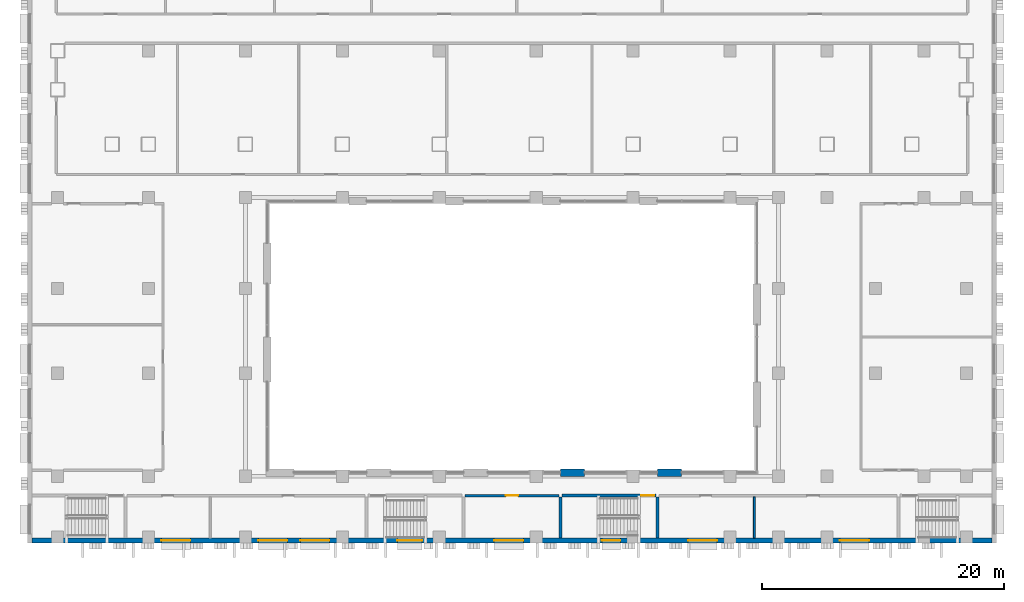
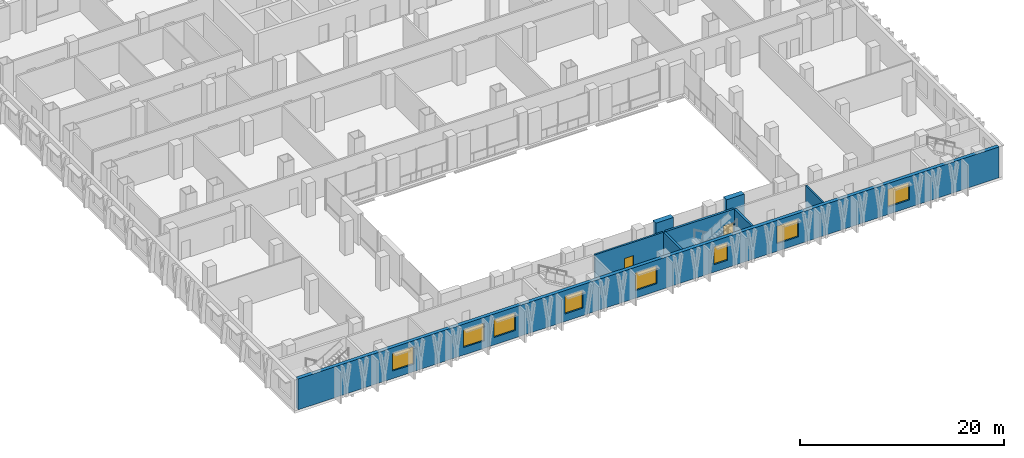
# One storey, part 9 of 26: 8 walls, 8 windows, 2 doors, 10 openings.
"""IFC4 building model written with IfcOpenShell, lengths in metres."""

from ifc_helpers import new_model, si_unit, direction, frame, frame_2d, origin, place, context, subcontext, project, spatial, rectangle, extrude, material, layer, layer_set, type_object, element, fill, save


model = new_model("IFC4")

# Units and contexts
model_context = context("Model", 3, precision=1e-05, world=origin(), true_north=direction((0.0, 1.0)))
body_context = subcontext(model_context, "Body", "Model", "MODEL_VIEW")
ifc_project = project(units=[si_unit("LENGTHUNIT", "METRE"), si_unit("AREAUNIT", "SQUARE_METRE"), si_unit("VOLUMEUNIT", "CUBIC_METRE"), si_unit("PLANEANGLEUNIT", "RADIAN"), si_unit("MASSUNIT", "GRAM", prefix="KILO")], contexts=[model_context])

# Site, building, storey
site_placement = place(None, origin())
site = spatial("IfcSite", under=ifc_project, at=site_placement, CompositionType="ELEMENT")
building_placement = place(site_placement, origin())
building = spatial("IfcBuilding", under=site, at=building_placement, Name="Vidyagriha Tower", CompositionType="ELEMENT")
storey_placement = place(building_placement, frame((0.0, 0.0, 6.0)))
storey = spatial("IfcBuildingStorey", under=building, at=storey_placement, Name="L01", CompositionType="ELEMENT", Elevation=6.0)

# Wall, openings, windows
ifc_material_1 = material(Name="Concrete C40/50 board-marked with brick facing", Category="concrete")
ifc_layer_1 = layer(ifc_material_1, 0.39990234375)
ifc_layer_set_1 = layer_set([ifc_layer_1], Name="Concrete C40/50 board-marked with brick facing")
wall_type_1 = type_object("IfcWallType", Name="Brick-faced board-marked concrete podium wall 400", PredefinedType="STANDARD", material=ifc_layer_set_1)
wall_1_placement = place(storey_placement, frame((-39.60009765625, -49.800048828125, 0.0)))
wall_1 = element("IfcWall", 1, at=wall_1_placement, inside=storey, type_object=wall_type_1, Name="Podium wall L01 R06", PredefinedType="STANDARD", context=body_context, shape_type="SweptSolid", body=[
    extrude(rectangle(XDim=79.2001953125, YDim=0.39990234375, at=frame_2d((39.60009765625, 0.0))), origin(), (0.0, 0.0, 1.0), 3.699951171875),
])
opening_1_placement = place(wall_1_placement, frame((10.6650390625, 0.0, 0.89990234375)))
opening_1 = element("IfcOpeningElement", 2, at=opening_1_placement, cuts=wall_1, Name="Opening WN3", PredefinedType="OPENING", context=body_context, shape_type="SweptSolid", body=[
    extrude(rectangle(XDim=2.39990234375, YDim=2.10009765625, at=frame_2d((1.199951171875, 1.050048828125))), frame((0.0, 0.2099609375, 0.0), z_axis=(0.0, -1.0, 0.0), x_axis=(1.0, 0.0, 0.0)), (0.0, 0.0, 1.0), 0.419921875),
])
opening_2_placement = place(wall_1_placement, frame((18.6650390625, 0.0, 0.89990234375)))
opening_2 = element("IfcOpeningElement", 3, at=opening_2_placement, cuts=wall_1, Name="Opening WN3", PredefinedType="OPENING", context=body_context, shape_type="SweptSolid", body=[
    extrude(rectangle(XDim=2.39990234375, YDim=2.10009765625, at=frame_2d((1.199951171875, 1.050048828125))), frame((0.0, 0.2099609375, 0.0), z_axis=(0.0, -1.0, 0.0), x_axis=(1.0, 0.0, 0.0)), (0.0, 0.0, 1.0), 0.419921875),
])
opening_3_placement = place(wall_1_placement, frame((22.135009765625, 0.0, 0.89990234375)))
opening_3 = element("IfcOpeningElement", 4, at=opening_3_placement, cuts=wall_1, Name="Opening WN3", PredefinedType="OPENING", context=body_context, shape_type="SweptSolid", body=[
    extrude(rectangle(XDim=2.39990234375, YDim=2.10009765625, at=frame_2d((1.199951171875, 1.050048828125))), frame((0.0, 0.2099609375, 0.0), z_axis=(0.0, -1.0, 0.0), x_axis=(1.0, 0.0, 0.0)), (0.0, 0.0, 1.0), 0.419921875),
])
opening_4_placement = place(wall_1_placement, frame((30.135009765625, 0.0, 0.89990234375)))
opening_4 = element("IfcOpeningElement", 5, at=opening_4_placement, cuts=wall_1, Name="Opening WN7", PredefinedType="OPENING", context=body_context, shape_type="SweptSolid", body=[
    extrude(rectangle(XDim=2.050048828125, YDim=2.10009765625, at=frame_2d((1.02490234375, 1.050048828125))), frame((0.0, 0.2099609375, 0.0), z_axis=(0.0, -1.0, 0.0), x_axis=(1.0, 0.0, 0.0)), (0.0, 0.0, 1.0), 0.419921875),
])
opening_5_placement = place(wall_1_placement, frame((38.135009765625, 0.0, 0.89990234375)))
opening_5 = element("IfcOpeningElement", 6, at=opening_5_placement, cuts=wall_1, Name="Opening WN3", PredefinedType="OPENING", context=body_context, shape_type="SweptSolid", body=[
    extrude(rectangle(XDim=2.39990234375, YDim=2.10009765625, at=frame_2d((1.199951171875, 1.050048828125))), frame((0.0, 0.2099609375, 0.0), z_axis=(0.0, -1.0, 0.0), x_axis=(1.0, 0.0, 0.0)), (0.0, 0.0, 1.0), 0.419921875),
])
opening_6_placement = place(wall_1_placement, frame((47.014892578125, 0.0, 0.89990234375)))
opening_6 = element("IfcOpeningElement", 7, at=opening_6_placement, cuts=wall_1, Name="Opening WN8", PredefinedType="OPENING", context=body_context, shape_type="SweptSolid", body=[
    extrude(rectangle(XDim=1.52001953125, YDim=2.10009765625, at=frame_2d((0.760009765625, 1.050048828125))), frame((0.0, 0.2099609375, 0.0), z_axis=(0.0, -1.0, 0.0), x_axis=(1.0, 0.0, 0.0)), (0.0, 0.0, 1.0), 0.419921875),
])
opening_7_placement = place(wall_1_placement, frame((54.135009765625, 0.0, 0.89990234375)))
opening_7 = element("IfcOpeningElement", 8, at=opening_7_placement, cuts=wall_1, Name="Opening WN3", PredefinedType="OPENING", context=body_context, shape_type="SweptSolid", body=[
    extrude(rectangle(XDim=2.39990234375, YDim=2.10009765625, at=frame_2d((1.199951171875, 1.050048828125))), frame((0.0, 0.2099609375, 0.0), z_axis=(0.0, -1.0, 0.0), x_axis=(1.0, 0.0, 0.0)), (0.0, 0.0, 1.0), 0.419921875),
])
opening_8_placement = place(wall_1_placement, frame((66.6650390625, 0.0, 0.89990234375)))
opening_8 = element("IfcOpeningElement", 9, at=opening_8_placement, cuts=wall_1, Name="Opening WN3", PredefinedType="OPENING", context=body_context, shape_type="SweptSolid", body=[
    extrude(rectangle(XDim=2.39990234375, YDim=2.10009765625, at=frame_2d((1.199951171875, 1.050048828125))), frame((0.0, 0.2099609375, 0.0), z_axis=(0.0, -1.0, 0.0), x_axis=(1.0, 0.0, 0.0)), (0.0, 0.0, 1.0), 0.419921875),
])
ifc_material_2 = material(Name="Aluminium and glass window", Category="aluminium")
window_type_1 = type_object("IfcWindowType", Name="Podium school window 1520x2100", PartitioningType="NOTDEFINED", PredefinedType="WINDOW", material=ifc_material_2)
window_1_placement = place(opening_6_placement, origin())
window_1 = element("IfcWindow", 10, at=window_1_placement, inside=storey, type_object=window_type_1, Name="School window L01 R06.24", OverallHeight=2.10009765625, OverallWidth=1.52001953125, PartitioningType="SINGLE_PANEL", PredefinedType="WINDOW", context=body_context, shape_type="SweptSolid", body=[
    extrude(rectangle(XDim=1.52001953125, YDim=2.10009765625, at=frame_2d((0.760009765625, 1.050048828125))), frame((0.0, 0.030029296875, 0.0), z_axis=(0.0, -1.0, 0.0), x_axis=(1.0, 0.0, 0.0)), (0.0, 0.0, 1.0), 0.06005859375),
])
fill(opening_6, window_1)
ifc_material_3 = material(Name="Aluminium and glass window", Category="aluminium")
window_type_2 = type_object("IfcWindowType", Name="Podium school window 2050x2100", PartitioningType="NOTDEFINED", PredefinedType="WINDOW", material=ifc_material_3)
window_2_placement = place(opening_4_placement, origin())
window_2 = element("IfcWindow", 11, at=window_2_placement, inside=storey, type_object=window_type_2, Name="School window L01 R06.16", OverallHeight=2.10009765625, OverallWidth=2.050048828125, PartitioningType="SINGLE_PANEL", PredefinedType="WINDOW", context=body_context, shape_type="SweptSolid", body=[
    extrude(rectangle(XDim=2.050048828125, YDim=2.10009765625, at=frame_2d((1.02490234375, 1.050048828125))), frame((0.0, 0.030029296875, 0.0), z_axis=(0.0, -1.0, 0.0), x_axis=(1.0, 0.0, 0.0)), (0.0, 0.0, 1.0), 0.06005859375),
])
fill(opening_4, window_2)
ifc_material_4 = material(Name="Aluminium and glass window", Category="aluminium")
window_type_3 = type_object("IfcWindowType", Name="Podium school window 2400x2100", PartitioningType="NOTDEFINED", PredefinedType="WINDOW", material=ifc_material_4)
window_3_placement = place(opening_1_placement, origin())
window_3 = element("IfcWindow", 12, at=window_3_placement, inside=storey, type_object=window_type_3, Name="School window L01 R06.7", OverallHeight=2.10009765625, OverallWidth=2.39990234375, PartitioningType="SINGLE_PANEL", PredefinedType="WINDOW", context=body_context, shape_type="SweptSolid", body=[
    extrude(rectangle(XDim=2.39990234375, YDim=2.10009765625, at=frame_2d((1.199951171875, 1.050048828125))), frame((0.0, 0.030029296875, 0.0), z_axis=(0.0, -1.0, 0.0), x_axis=(1.0, 0.0, 0.0)), (0.0, 0.0, 1.0), 0.06005859375),
])
fill(opening_1, window_3)
window_4_placement = place(opening_2_placement, origin())
window_4 = element("IfcWindow", 13, at=window_4_placement, inside=storey, type_object=window_type_3, Name="School window L01 R06.11", OverallHeight=2.10009765625, OverallWidth=2.39990234375, PartitioningType="SINGLE_PANEL", PredefinedType="WINDOW", context=body_context, shape_type="SweptSolid", body=[
    extrude(rectangle(XDim=2.39990234375, YDim=2.10009765625, at=frame_2d((1.199951171875, 1.050048828125))), frame((0.0, 0.030029296875, 0.0), z_axis=(0.0, -1.0, 0.0), x_axis=(1.0, 0.0, 0.0)), (0.0, 0.0, 1.0), 0.06005859375),
])
fill(opening_2, window_4)
window_5_placement = place(opening_3_placement, origin())
window_5 = element("IfcWindow", 14, at=window_5_placement, inside=storey, type_object=window_type_3, Name="School window L01 R06.12", OverallHeight=2.10009765625, OverallWidth=2.39990234375, PartitioningType="SINGLE_PANEL", PredefinedType="WINDOW", context=body_context, shape_type="SweptSolid", body=[
    extrude(rectangle(XDim=2.39990234375, YDim=2.10009765625, at=frame_2d((1.199951171875, 1.050048828125))), frame((0.0, 0.030029296875, 0.0), z_axis=(0.0, -1.0, 0.0), x_axis=(1.0, 0.0, 0.0)), (0.0, 0.0, 1.0), 0.06005859375),
])
fill(opening_3, window_5)
window_6_placement = place(opening_5_placement, origin())
window_6 = element("IfcWindow", 15, at=window_6_placement, inside=storey, type_object=window_type_3, Name="School window L01 R06.20", OverallHeight=2.10009765625, OverallWidth=2.39990234375, PartitioningType="SINGLE_PANEL", PredefinedType="WINDOW", context=body_context, shape_type="SweptSolid", body=[
    extrude(rectangle(XDim=2.39990234375, YDim=2.10009765625, at=frame_2d((1.199951171875, 1.050048828125))), frame((0.0, 0.030029296875, 0.0), z_axis=(0.0, -1.0, 0.0), x_axis=(1.0, 0.0, 0.0)), (0.0, 0.0, 1.0), 0.06005859375),
])
fill(opening_5, window_6)
window_7_placement = place(opening_7_placement, origin())
window_7 = element("IfcWindow", 16, at=window_7_placement, inside=storey, type_object=window_type_3, Name="School window L01 R06.28", OverallHeight=2.10009765625, OverallWidth=2.39990234375, PartitioningType="SINGLE_PANEL", PredefinedType="WINDOW", context=body_context, shape_type="SweptSolid", body=[
    extrude(rectangle(XDim=2.39990234375, YDim=2.10009765625, at=frame_2d((1.199951171875, 1.050048828125))), frame((0.0, 0.030029296875, 0.0), z_axis=(0.0, -1.0, 0.0), x_axis=(1.0, 0.0, 0.0)), (0.0, 0.0, 1.0), 0.06005859375),
])
fill(opening_7, window_7)
window_8_placement = place(opening_8_placement, origin())
window_8 = element("IfcWindow", 17, at=window_8_placement, inside=storey, type_object=window_type_3, Name="School window L01 R06.35", OverallHeight=2.10009765625, OverallWidth=2.39990234375, PartitioningType="SINGLE_PANEL", PredefinedType="WINDOW", context=body_context, shape_type="SweptSolid", body=[
    extrude(rectangle(XDim=2.39990234375, YDim=2.10009765625, at=frame_2d((1.199951171875, 1.050048828125))), frame((0.0, 0.030029296875, 0.0), z_axis=(0.0, -1.0, 0.0), x_axis=(1.0, 0.0, 0.0)), (0.0, 0.0, 1.0), 0.06005859375),
])
fill(opening_8, window_8)

# Walls
ifc_material_5 = material(Name="Precast concrete C40/50 with brick facing", Category="concrete")
ifc_layer_2 = layer(ifc_material_5, 0.60009765625)
ifc_layer_set_2 = layer_set([ifc_layer_2], Name="Precast concrete C40/50 with brick facing")
wall_type_2 = type_object("IfcWallType", Name="Brick-faced precast wall 600", PredefinedType="STANDARD", material=ifc_layer_set_2)
for number, where, z_axis, x_axis, name in (
    (18, (14.0, -44.199951171875, 0.0), (0.0, 0.0, 1.0), (-1.0, 0.0, 0.0), "Brick door bay wall L01 R07.4"),
    (19, (6.0, -44.199951171875, 0.0), (0.0, 0.0, 1.0), (-1.0, 0.0, 0.0), "Brick door bay wall L01 R07.8"),
):
    element("IfcWall", number, at=place(storey_placement, frame(where, z_axis=z_axis, x_axis=x_axis)), inside=storey, type_object=wall_type_2, Name=name, PredefinedType="STANDARD", context=body_context, shape_type="SweptSolid", body=[
        extrude(rectangle(XDim=2.0, YDim=0.60009765625, at=frame_2d((1.0, 0.0))), origin(), (0.0, 0.0, 1.0), 3.699951171875),
    ])

# Wall, opening, door
ifc_material_6 = material(Name="Concrete C32/40", Category="concrete")
ifc_layer_3 = layer(ifc_material_6, 0.25)
ifc_layer_set_3 = layer_set([ifc_layer_3], Name="Concrete C32/40")
wall_type_3 = type_object("IfcWallType", Name="Concrete Stair Enclosure Wall 250", PredefinedType="SOLIDWALL", material=ifc_layer_set_3)
wall_2_placement = place(storey_placement, frame((4.125, -46.10009765625, 0.0)))
wall_2 = element("IfcWall", 20, at=wall_2_placement, inside=storey, type_object=wall_type_3, Name="L01 Concrete Stair Enclosure Wall 250 005", PredefinedType="SOLIDWALL", context=body_context, shape_type="SweptSolid", body=[
    extrude(rectangle(XDim=7.75, YDim=0.25, at=frame_2d((3.875, 0.0))), origin(), (0.0, 0.0, 1.0), 3.699951171875),
])
opening_9_placement = place(wall_2_placement, frame((6.530029296875, 0.0, 0.0)))
opening_9 = element("IfcOpeningElement", 21, at=opening_9_placement, cuts=wall_2, Name="Opening D01-63", PredefinedType="OPENING", context=body_context, shape_type="SweptSolid", body=[
    extrude(rectangle(XDim=1.10009765625, YDim=2.10009765625, at=frame_2d((0.550048828125, 1.050048828125))), frame((0.0, 0.135009765625, 0.0), z_axis=(0.0, -1.0, 0.0), x_axis=(1.0, 0.0, 0.0)), (0.0, 0.0, 1.0), 0.27001953125),
])
ifc_material_7 = material(Name="Steel fire door set", Category="steel")
door_type_1 = type_object("IfcDoorType", Name="Podium Door 1100x2100 EI 90", OperationType="NOTDEFINED", PredefinedType="DOOR", material=ifc_material_7)
door_1_placement = place(opening_9_placement, origin())
door_1 = element("IfcDoor", 22, at=door_1_placement, inside=storey, type_object=door_type_1, Name="L01 door D01-63", OperationType="SINGLE_SWING_RIGHT", OverallHeight=2.10009765625, OverallWidth=1.10009765625, PredefinedType="DOOR", context=body_context, shape_type="SweptSolid", body=[
    extrude(rectangle(XDim=1.10009765625, YDim=2.10009765625, at=frame_2d((0.550048828125, 1.050048828125))), frame((0.0, 0.02490234375, 0.0), z_axis=(0.0, -1.0, 0.0), x_axis=(1.0, 0.0, 0.0)), (0.0, 0.0, 1.0), 0.050048828125),
])
fill(opening_9, door_1)

# Walls
for number, where, z_axis, x_axis, name in (
    (23, (4.0, -49.60009765625, 0.0), (0.0, 0.0, 1.0), (0.0, 1.0, 0.0), "L01 Concrete Stair Enclosure Wall 250 062"),
    (24, (12.0, -49.60009765625, 0.0), (0.0, 0.0, 1.0), (0.0, 1.0, 0.0), "L01 Concrete Stair Enclosure Wall 250 064"),
):
    element("IfcWall", number, at=place(storey_placement, frame(where, z_axis=z_axis, x_axis=x_axis)), inside=storey, type_object=wall_type_3, Name=name, PredefinedType="SOLIDWALL", context=body_context, shape_type="SweptSolid", body=[
        extrude(rectangle(XDim=3.375, YDim=0.25, at=frame_2d((1.6875, 0.0))), origin(), (0.0, 0.0, 1.0), 3.699951171875),
    ])

# Wall, opening, door
ifc_material_8 = material(Name="Fire rated gypsum board on light gauge framing")
ifc_layer_4 = layer(ifc_material_8, 0.199951171875)
ifc_layer_set_4 = layer_set([ifc_layer_4], Name="Fire rated gypsum board on light gauge framing")
wall_type_4 = type_object("IfcWallType", Name="Fire Rated Corridor Wall 200", PredefinedType="PARTITIONING", material=ifc_layer_set_4)
wall_3_placement = place(storey_placement, frame((-3.875, -46.10009765625, 0.0)))
wall_3 = element("IfcWall", 25, at=wall_3_placement, inside=storey, type_object=wall_type_4, Name="L01 Fire Rated Corridor Wall 200 001", PredefinedType="PARTITIONING", context=body_context, shape_type="SweptSolid", body=[
    extrude(rectangle(XDim=7.75, YDim=0.199951171875, at=frame_2d((3.875, 0.0))), origin(), (0.0, 0.0, 1.0), 3.699951171875),
])
opening_10_placement = place(wall_3_placement, frame((3.375, 0.0, 0.0)))
opening_10 = element("IfcOpeningElement", 26, at=opening_10_placement, cuts=wall_3, Name="Opening D01-23", PredefinedType="OPENING", context=body_context, shape_type="SweptSolid", body=[
    extrude(rectangle(XDim=1.0, YDim=2.10009765625, at=frame_2d((0.5, 1.050048828125))), frame((0.0, 0.10986328125, 0.0), z_axis=(0.0, -1.0, 0.0), x_axis=(1.0, 0.0, 0.0)), (0.0, 0.0, 1.0), 0.219970703125),
])
ifc_material_9 = material(Name="Steel fire door set", Category="steel")
door_type_2 = type_object("IfcDoorType", Name="Podium Door 1000x2100 EI 30", OperationType="NOTDEFINED", PredefinedType="DOOR", material=ifc_material_9)
door_2_placement = place(opening_10_placement, frame((1.0, 0.0, 0.0), z_axis=(0.0, 0.0, 1.0), x_axis=(-1.0, 0.0, 0.0)))
door_2 = element("IfcDoor", 27, at=door_2_placement, inside=storey, type_object=door_type_2, Name="L01 door D01-23", OperationType="SINGLE_SWING_LEFT", OverallHeight=2.10009765625, OverallWidth=1.0, PredefinedType="DOOR", context=body_context, shape_type="SweptSolid", body=[
    extrude(rectangle(XDim=1.0, YDim=2.10009765625, at=frame_2d((0.5, 1.050048828125))), frame((0.0, 0.02490234375, 0.0), z_axis=(0.0, -1.0, 0.0), x_axis=(1.0, 0.0, 0.0)), (0.0, 0.0, 1.0), 0.050048828125),
])
fill(opening_10, door_2)

# Wall
ifc_material_10 = material(Name="Gypsum board on light gauge framing")
ifc_layer_5 = layer(ifc_material_10, 0.14990234375)
ifc_layer_set_5 = layer_set([ifc_layer_5], Name="Gypsum board on light gauge framing")
wall_type_5 = type_object("IfcWallType", Name="Gypsum Board Partition 150", PredefinedType="PARTITIONING", material=ifc_layer_set_5)
wall_4_placement = place(storey_placement, frame((20.0, -49.60009765625, 0.0), z_axis=(0.0, 0.0, 1.0), x_axis=(0.0, 1.0, 0.0)))
element("IfcWall", 28, at=wall_4_placement, inside=storey, type_object=wall_type_5, Name="L01 Gypsum Board Partition 150 067", PredefinedType="PARTITIONING", context=body_context, shape_type="SweptSolid", body=[
    extrude(rectangle(XDim=3.400146484375, YDim=0.14990234375, at=frame_2d((1.7001953125, 0.0))), origin(), (0.0, 0.0, 1.0), 3.699951171875),
])

save(model, "model.ifc")
